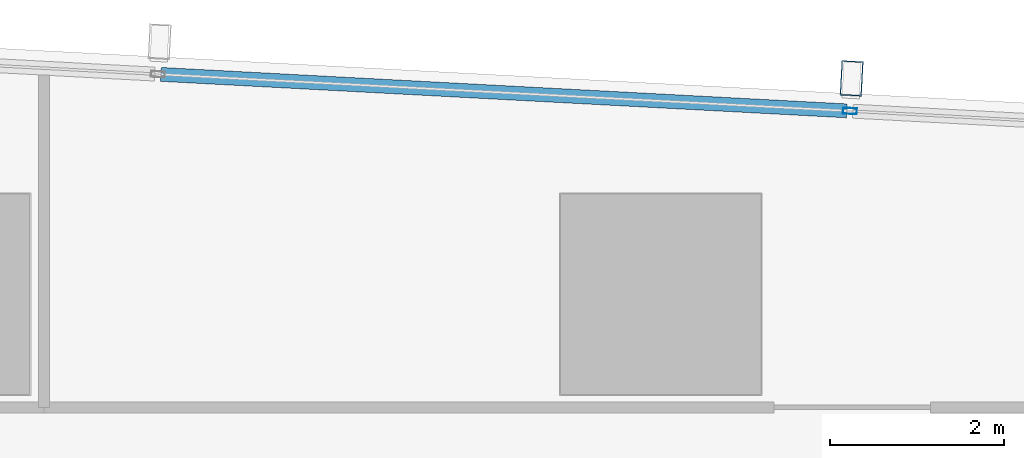
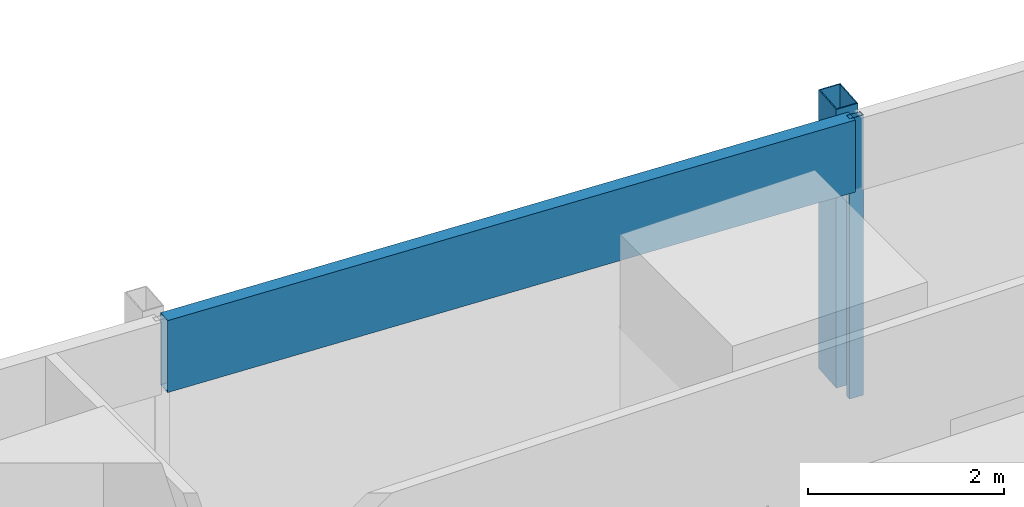
# One storey, part 17 of 32: 3 members, 1 element without a shape of its own.
"""IFC4 building model written with IfcOpenShell, lengths in metres."""

import ifcopenshell
import ifcopenshell.guid

model = None  # the IFC model being written
_history = None  # IfcOwnerHistory: only IFC2X3 demands one
_inside = {}  # id of a spatial element -> (the spatial element, [elements in it])
_under = {}  # id of a project, library or spatial element -> (it, [spatial elements below it])
_declared = {}  # id of a project -> (the project, [libraries it declares])
_typed = {}  # id of a type object -> (the type object, [elements of that type])
_made_of = {}  # id of a material, layer set ... -> (it, [elements and type objects made of it])


def new_model(schema):
    """Start an empty IFC model of exactly this schema.

    Asked for "IFC4X3", IfcOpenShell would pick the latest addendum, in which some entities
    have other attributes; the version numbers below select the first issue.
    IFC2X3 requires an IfcOwnerHistory on every rooted entity: one is made here for all.
    """
    global model, _history
    if schema == "IFC4X3":
        model = ifcopenshell.file(schema_version=(4, 3, 0, 0))
    else:
        model = ifcopenshell.file(schema=schema)
    _inside.clear()
    _under.clear()
    _declared.clear()
    _typed.clear()
    _made_of.clear()
    _history = None
    if model.schema == "IFC2X3":
        org = make("IfcOrganization", Name="unknown")
        user = make(
            "IfcPersonAndOrganization",
            ThePerson=make("IfcPerson", FamilyName="unknown"),
            TheOrganization=org,
        )
        app = make(
            "IfcApplication",
            ApplicationDeveloper=org,
            Version="unknown",
            ApplicationFullName="unknown",
            ApplicationIdentifier="unknown",
        )
        _history = make(
            "IfcOwnerHistory",
            OwningUser=user,
            OwningApplication=app,
            ChangeAction="ADDED",
            CreationDate=0,
        )
    return model


def make(cls, **values):
    """One entity of the class cls with the attributes given. An attribute that is None is left unset."""
    return model.create_entity(
        cls, **{name: value for name, value in values.items() if value is not None}
    )


def rooted(cls, **values):
    """An entity with a GlobalId (a new one), such as an element, a storey or a relation."""
    return make(cls, GlobalId=ifcopenshell.guid.new(), OwnerHistory=_history, **values)


def si_unit(unit_type, name, prefix=None):
    """IfcSIUnit, for example si_unit("LENGTHUNIT", "METRE", prefix="MILLI")."""
    return make("IfcSIUnit", UnitType=unit_type, Prefix=prefix, Name=name)


def assignment(units):
    """IfcUnitAssignment: the units of a project."""
    return None if units is None else make("IfcUnitAssignment", Units=units)


def point(xyz):
    """IfcCartesianPoint."""
    return None if xyz is None else make("IfcCartesianPoint", Coordinates=xyz)


def direction(xyz):
    """IfcDirection."""
    return None if xyz is None else make("IfcDirection", DirectionRatios=xyz)


def frame(location, z_axis=None, x_axis=None):
    """IfcAxis2Placement3D, a coordinate frame: its origin and axes. An axis left out is left unset."""
    return make(
        "IfcAxis2Placement3D",
        Location=point(location),
        Axis=direction(z_axis),
        RefDirection=direction(x_axis),
    )


def frame_2d(location, x_axis=None):
    """IfcAxis2Placement2D, a coordinate frame in the plane: its origin and x axis."""
    return make(
        "IfcAxis2Placement2D", Location=point(location), RefDirection=direction(x_axis)
    )


def origin():
    """The frame at (0, 0, 0) with its axes left unset."""
    return frame((0.0, 0.0, 0.0))


def origin_2d():
    """The frame at (0, 0) in the plane with its x axis left unset."""
    return frame_2d((0.0, 0.0))


def place(relative_to, where):
    """IfcLocalPlacement: puts the frame where relative to a parent placement (None: the world)."""
    return make(
        "IfcLocalPlacement", PlacementRelTo=relative_to, RelativePlacement=where
    )


def context(
    kind, dimensions, precision=None, world=None, true_north=None, identifier=None
):
    """IfcGeometricRepresentationContext, for example the 3D "Model" context."""
    return make(
        "IfcGeometricRepresentationContext",
        ContextIdentifier=identifier,
        ContextType=kind,
        CoordinateSpaceDimension=dimensions,
        Precision=precision,
        WorldCoordinateSystem=world,
        TrueNorth=true_north,
    )


def subcontext(parent, identifier, kind, view, scale=None):
    """IfcGeometricRepresentationSubContext, for example "Body" below "Model"."""
    return make(
        "IfcGeometricRepresentationSubContext",
        ContextIdentifier=identifier,
        ContextType=kind,
        ParentContext=parent,
        TargetScale=scale,
        TargetView=view,
    )


def project(units=None, contexts=None):
    """IfcProject with its units and contexts."""
    return rooted(
        "IfcProject",
        Name="project",
        RepresentationContexts=contexts,
        UnitsInContext=assignment(units),
    )


def spatial(cls, under=None, at=None, **own):
    """A site, building, storey or space (cls), placed at a placement, below another one or the project."""
    s = rooted(cls, ObjectPlacement=at, **own)
    if under is not None:
        _under.setdefault(under.id(), (under, []))[1].append(s)
    return s


def profile(cls, at=None, kind="AREA", **sizes):
    """A parametric profile (cls). Its sizes go by their IFC names, for example OverallWidth=200.0."""
    return make(cls, ProfileType=kind, Position=at, **sizes)


def hollow_rectangle(**sizes):
    """IfcRectangleHollowProfileDef."""
    return profile("IfcRectangleHollowProfileDef", **sizes)


def extrude(swept, where, along, depth):
    """IfcExtrudedAreaSolid: the profile swept, set in the frame where, extruded along a direction by depth."""
    return make(
        "IfcExtrudedAreaSolid",
        SweptArea=swept,
        Position=where,
        ExtrudedDirection=direction(along),
        Depth=depth,
    )


def shape(context_of_items, identifier, shape_type, items):
    """IfcShapeRepresentation: the items that make up one representation, for example the "Body"."""
    return make(
        "IfcShapeRepresentation",
        ContextOfItems=context_of_items,
        RepresentationIdentifier=identifier,
        RepresentationType=shape_type,
        Items=items,
    )


def material(Name=None, Category=None):
    """IfcMaterial."""
    return make("IfcMaterial", Name=Name, Category=Category)


def material_profile(
    of_material, cross_section, Name=None, Category=None, Priority=None
):
    """IfcMaterialProfile: a cross section and its material."""
    return make(
        "IfcMaterialProfile",
        Name=Name,
        Material=of_material,
        Profile=cross_section,
        Priority=Priority,
        Category=Category,
    )


def profile_set(profiles, Name=None, composite=None):
    """IfcMaterialProfileSet."""
    return make(
        "IfcMaterialProfileSet",
        Name=Name,
        MaterialProfiles=profiles,
        CompositeProfile=composite,
    )


def made_of(thing, what):
    """Note that an element or type object is made of a material, layer set ...; save() writes the relation."""
    if what is not None:
        _made_of.setdefault(what.id(), (what, []))[1].append(thing)
    return thing


def type_object(cls, material=None, **own):
    """A type object (cls), such as IfcWallType, which elements share."""
    return made_of(rooted(cls, **own), material)


def element(
    cls,
    number,
    at=None,
    inside=None,
    cuts=None,
    type_object=None,
    material=None,
    context=None,
    identifier="Body",
    shape_type=None,
    held_by="IfcProductDefinitionShape",
    body=None,
    shapes=None,
    **own,
):
    """One element of the class cls, such as IfcWall. Its Tag is "e" and its number.

    at: its placement. inside: the storey or other place that contains it. cuts: it is an
    opening in that element (IfcRelVoidsElement). A single representation is given by context,
    identifier, shape_type and body (its items); several are given by shapes. held_by: the class
    of the entity that holds the representations. save() writes the other relations.
    """
    e = rooted(cls, Tag="e%d" % number, ObjectPlacement=at, **own)
    if body is not None:
        shapes = [shape(context, identifier, shape_type, body)]
    if shapes is not None:
        e.Representation = make(held_by, Representations=shapes)
    if inside is not None:
        _inside.setdefault(inside.id(), (inside, []))[1].append(e)
    if cuts is not None:
        rooted(
            "IfcRelVoidsElement", RelatingBuildingElement=cuts, RelatedOpeningElement=e
        )
    if type_object is not None:
        _typed.setdefault(type_object.id(), (type_object, []))[1].append(e)
    return made_of(e, material)


def aggregate(whole, parts):
    """IfcRelAggregates: a whole, such as a stair, and the parts it consists of."""
    return rooted("IfcRelAggregates", RelatingObject=whole, RelatedObjects=parts)


def save(model, path):
    """Write the relations noted so far, then the file.

    IfcRelAggregates (storeys below a building ...), IfcRelContainedInSpatialStructure (elements
    in a storey), IfcRelDefinesByType, IfcRelAssociatesMaterial and IfcRelDeclares: one each for
    every whole, place, type object, material and project.
    """
    for whole, parts in _under.values():
        aggregate(whole, parts)
    for where, things in _inside.values():
        rooted(
            "IfcRelContainedInSpatialStructure",
            RelatedElements=things,
            RelatingStructure=where,
        )
    for kind, things in _typed.values():
        rooted("IfcRelDefinesByType", RelatedObjects=things, RelatingType=kind)
    for what, things in _made_of.values():
        rooted("IfcRelAssociatesMaterial", RelatedObjects=things, RelatingMaterial=what)
    for by, libraries in _declared.values():
        rooted("IfcRelDeclares", RelatingContext=by, RelatedDefinitions=libraries)
    model.write(path)


model = new_model("IFC4")

# Units and contexts
model_context = context("Model", 3, precision=1e-05, world=origin(), true_north=direction((0.0, 1.0)))
body_context = subcontext(model_context, "Body", "Model", "MODEL_VIEW")
ifc_project = project(units=[si_unit("LENGTHUNIT", "METRE"), si_unit("AREAUNIT", "SQUARE_METRE"), si_unit("VOLUMEUNIT", "CUBIC_METRE"), si_unit("PLANEANGLEUNIT", "RADIAN"), si_unit("MASSUNIT", "GRAM", prefix="KILO")], contexts=[model_context])

# Site, building, storey
site_placement = place(None, origin())
site = spatial("IfcSite", under=ifc_project, at=site_placement, CompositionType="ELEMENT")
building_placement = place(site_placement, origin())
building = spatial("IfcBuilding", under=site, at=building_placement, Name="Rekha Terrace Tower", CompositionType="ELEMENT")
storey_placement = place(building_placement, frame((0.0, 0.0, 250.10009765625)))
storey = spatial("IfcBuildingStorey", under=building, at=storey_placement, Name="L63", CompositionType="ELEMENT", Elevation=250.10009765625)

# Curtain wall, members
ifc_material_1 = material(Name="Aluminium framing", Category="aluminium")
curtain_wall_type = type_object("IfcCurtainWallType", Name="CW3 north unitised glazing", PredefinedType="USERDEFINED", material=ifc_material_1)
curtain_wall_placement = place(storey_placement, origin())
curtain_wall = element("IfcCurtainWall", 1, at=curtain_wall_placement, inside=storey, type_object=curtain_wall_type, Name="CW3 unitised curtain wall", ObjectType="UNITISED CURTAIN WALL", PredefinedType="USERDEFINED")
ifc_material_2 = material(Name="Steel S355 with fluorocarbon finish", Category="steel")
ifc_material_profile_1 = material_profile(ifc_material_2, hollow_rectangle(XDim=0.25, YDim=0.39990234375, WallThickness=0.012451171875, at=origin_2d()), Name="RHS400x250x12.5")
ifc_profile_set_1 = profile_set([ifc_material_profile_1], Name="Steel S355 with fluorocarbon finish")
member_type_1 = type_object("IfcMemberType", Name="BL1 facade blade RHS 400 x 250", PredefinedType="USERDEFINED", material=ifc_profile_set_1)
member_1_placement = place(storey_placement, frame((44.192626953125, 52.87890625, 0.02001953125), z_axis=(0.0, 0.0, 1.0), x_axis=(-0.998590068481, 0.053083661621, 0.0)))
member_1 = element("IfcMember", 2, at=member_1_placement, type_object=member_type_1, Name="Facade blade", ObjectType="FACADE BLADE", PredefinedType="USERDEFINED", context=body_context, shape_type="SweptSolid", body=[
    extrude(hollow_rectangle(XDim=0.25, YDim=0.39990234375, WallThickness=0.012451171875, at=origin_2d()), origin(), (0.0, 0.0, 1.0), 3.47998046875),
])
ifc_material_3 = material(Name="Aluminium mullion section", Category="aluminium")
ifc_material_profile_2 = material_profile(ifc_material_3, hollow_rectangle(XDim=0.070068359375, YDim=0.159912109375, WallThickness=0.00390625, at=origin_2d()), Name="AL RHS 70x160")
ifc_profile_set_2 = profile_set([ifc_material_profile_2], Name="Aluminium mullion section")
member_type_2 = type_object("IfcMemberType", Name="CW3 mullion RHS 70 x 160", PredefinedType="MULLION", material=ifc_profile_set_2)
member_2_placement = place(storey_placement, frame((44.1728515625, 52.50439453125, 0.0), z_axis=(0.0, 0.0, 1.0), x_axis=(-0.053083275524, -0.998590089005, 0.0)))
member_2 = element("IfcMember", 3, at=member_2_placement, type_object=member_type_2, Name="CW3 mullion 3", PredefinedType="MULLION", context=body_context, shape_type="SweptSolid", body=[
    extrude(hollow_rectangle(XDim=0.070068359375, YDim=0.159912109375, WallThickness=0.00390625, at=origin_2d()), origin(), (0.0, 0.0, 1.0), 3.5),
])
ifc_material_4 = material(Name="Insulated aluminium spandrel box", Category="aluminium")
ifc_material_profile_3 = material_profile(ifc_material_4, hollow_rectangle(XDim=0.159912109375, YDim=0.89990234375, WallThickness=0.0029296875, at=origin_2d()), Name="AL SPANDREL BOX 160x900")
ifc_profile_set_3 = profile_set([ifc_material_profile_3], Name="Insulated aluminium spandrel box")
member_type_3 = type_object("IfcMemberType", Name="CW3 spandrel transom 160 x 900", PredefinedType="USERDEFINED", material=ifc_profile_set_3)
member_3_placement = place(storey_placement, frame((44.137939453125, 52.506103515625, 3.0498046875), z_axis=(-0.998589828491, 0.053088176024, 0.0), x_axis=(-0.053088176024, -0.998589828491, 0.0)))
member_3 = element("IfcMember", 4, at=member_3_placement, type_object=member_type_3, Name="CW3 spandrel transom 3", ObjectType="TRANSOM", PredefinedType="USERDEFINED", context=body_context, shape_type="SweptSolid", body=[
    extrude(hollow_rectangle(XDim=0.159912109375, YDim=0.89990234375, WallThickness=0.0029296875, at=origin_2d()), origin(), (0.0, 0.0, 1.0), 7.8916015625),
])
aggregate(curtain_wall, [member_2, member_3, member_1])

save(model, "model.ifc")
